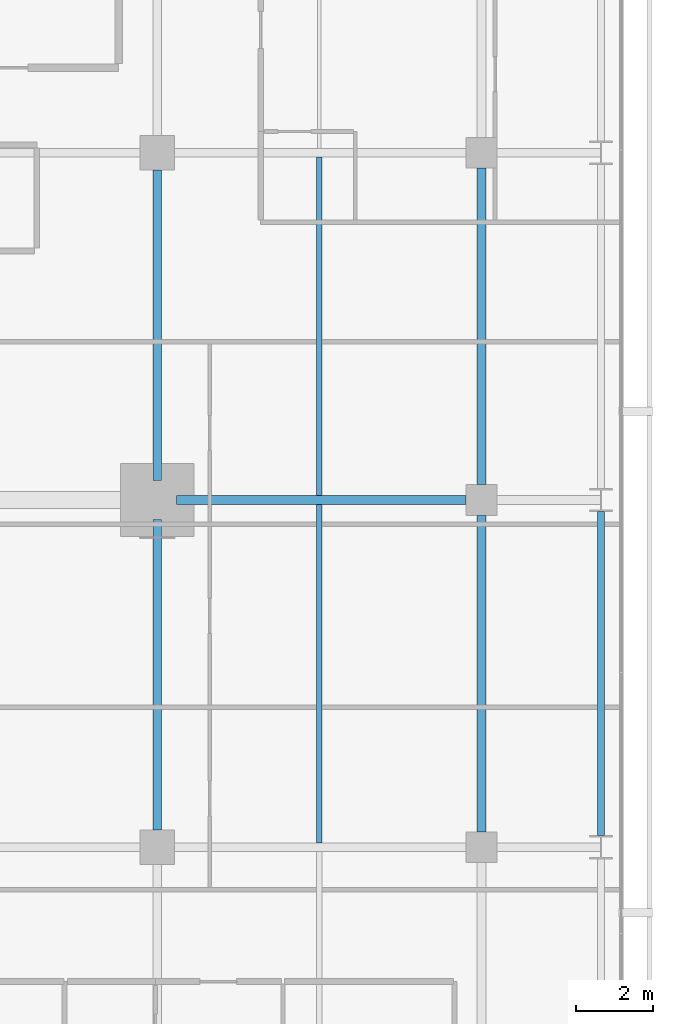
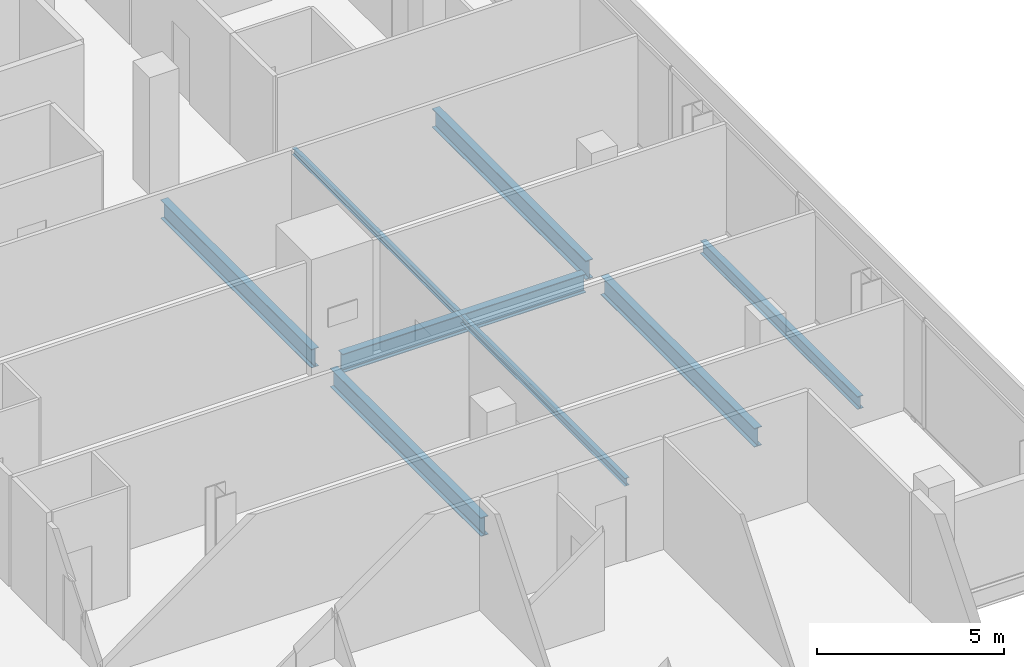
# One storey, part 16 of 34: 8 beams.
"""IFC4 building model written with IfcOpenShell, lengths in metres."""

from ifc_helpers import new_model, si_unit, direction, frame, origin, origin_2d, place, context, subcontext, project, spatial, i_section, extrude, material, material_profile, profile_set, type_object, element, save


model = new_model("IFC4")

# Units and contexts
model_context = context("Model", 3, precision=1e-05, world=origin(), true_north=direction((0.0, 1.0)))
body_context = subcontext(model_context, "Body", "Model", "MODEL_VIEW")
ifc_project = project(units=[si_unit("LENGTHUNIT", "METRE"), si_unit("AREAUNIT", "SQUARE_METRE"), si_unit("VOLUMEUNIT", "CUBIC_METRE"), si_unit("PLANEANGLEUNIT", "RADIAN"), si_unit("MASSUNIT", "GRAM", prefix="KILO")], contexts=[model_context])

# Site, building, storey
site_placement = place(None, origin())
site = spatial("IfcSite", under=ifc_project, at=site_placement, CompositionType="ELEMENT")
building_placement = place(site_placement, origin())
building = spatial("IfcBuilding", under=site, at=building_placement, Name="Maruvema Waterfront Hotel and Observation Tower", CompositionType="ELEMENT")
storey_placement = place(building_placement, frame((0.0, 0.0, 146.64990234375)))
storey = spatial("IfcBuildingStorey", under=building, at=storey_placement, Name="L35", CompositionType="ELEMENT", Elevation=146.64990234375)

# Beams
ifc_material_1 = material(Name="Steel ASTM A572 Grade 50", Category="steel")
ifc_material_profile_1 = material_profile(ifc_material_1, i_section(OverallWidth=0.180908203125, OverallDepth=0.4169921875, WebThickness=0.010986328125, FlangeThickness=0.018310546875, FilletRadius=0.014892578125, at=origin_2d()), Name="W410x85.0")
ifc_profile_set_1 = profile_set([ifc_material_profile_1], Name="Steel ASTM A572 Grade 50")
beam_type_1 = type_object("IfcBeamType", Name="Perimeter Spandrel Beam W410x85.0", PredefinedType="SPANDREL", material=ifc_profile_set_1)
beam_1_placement = place(storey_placement, frame((61.89990234375, 18.300048828125, -0.448486328125), z_axis=(0.0, 1.0, 0.0), x_axis=(-1.0, 0.0, 0.0)))
element("IfcBeam", 1, at=beam_1_placement, inside=storey, type_object=beam_type_1, Name="L35 Floor Girder NS-30", PredefinedType="SPANDREL", context=body_context, shape_type="SweptSolid", body=[
    extrude(i_section(OverallWidth=0.180908203125, OverallDepth=0.4169921875, WebThickness=0.010986328125, FlangeThickness=0.018310546875, FilletRadius=0.014892578125, at=origin_2d()), origin(), (0.0, 0.0, 1.0), 8.39990234375),
])
ifc_material_2 = material(Name="Steel ASTM A572 Grade 50", Category="steel")
ifc_material_profile_2 = material_profile(ifc_material_2, i_section(OverallWidth=0.22900390625, OverallDepth=0.612060546875, WebThickness=0.011962890625, FlangeThickness=0.01953125, FilletRadius=0.01806640625, at=origin_2d()), Name="W610x125.0")
ifc_profile_set_2 = profile_set([ifc_material_profile_2], Name="Steel ASTM A572 Grade 50")
beam_type_2 = type_object("IfcBeamType", Name="Primary Floor Girder W610x125.0", PredefinedType="BEAM", material=ifc_profile_set_2)
beam_2_placement = place(storey_placement, frame((50.89990234375, 27.0, -0.5458984375), z_axis=(1.0, 0.0, 0.0), x_axis=(0.0, 1.0, 0.0)))
element("IfcBeam", 2, at=beam_2_placement, inside=storey, type_object=beam_type_2, Name="L35 Floor Girder EW-21", PredefinedType="BEAM", context=body_context, shape_type="SweptSolid", body=[
    extrude(i_section(OverallWidth=0.22900390625, OverallDepth=0.612060546875, WebThickness=0.011962890625, FlangeThickness=0.01953125, FilletRadius=0.01806640625, at=origin_2d()), origin(), (0.0, 0.0, 1.0), 7.5),
])
for number, where, z_axis, x_axis, name in (
    (3, (50.39990234375, 18.449951171875, -0.5458984375), (0.0, 1.0, 0.0), (-1.0, 0.0, 0.0), "L35 Floor Girder NS-22"),
    (4, (50.39990234375, 27.5, -0.5458984375), (0.0, 1.0, 0.0), (-1.0, 0.0, 0.0), "L35 Floor Girder NS-23"),
):
    element("IfcBeam", number, at=place(storey_placement, frame(where, z_axis=z_axis, x_axis=x_axis)), inside=storey, type_object=beam_type_2, Name=name, PredefinedType="BEAM", context=body_context, shape_type="SweptSolid", body=[
        extrude(i_section(OverallWidth=0.22900390625, OverallDepth=0.612060546875, WebThickness=0.011962890625, FlangeThickness=0.01953125, FilletRadius=0.01806640625, at=origin_2d()), origin(), (0.0, 0.0, 1.0), 8.050048828125),
    ])
for number, where, z_axis, x_axis, name in (
    (5, (58.800048828125, 18.39990234375, -0.5458984375), (0.0, 1.0, 0.0), (-1.0, 0.0, 0.0), "L35 Floor Girder NS-26"),
    (6, (58.800048828125, 27.39990234375, -0.5458984375), (0.0, 1.0, 0.0), (-1.0, 0.0, 0.0), "L35 Floor Girder NS-27"),
):
    element("IfcBeam", number, at=place(storey_placement, frame(where, z_axis=z_axis, x_axis=x_axis)), inside=storey, type_object=beam_type_2, Name=name, PredefinedType="BEAM", context=body_context, shape_type="SweptSolid", body=[
        extrude(i_section(OverallWidth=0.22900390625, OverallDepth=0.612060546875, WebThickness=0.011962890625, FlangeThickness=0.01953125, FilletRadius=0.01806640625, at=origin_2d()), origin(), (0.0, 0.0, 1.0), 8.2001953125),
    ])
ifc_material_3 = material(Name="Steel ASTM A572 Grade 50", Category="steel")
ifc_material_profile_3 = material_profile(ifc_material_3, i_section(OverallWidth=0.133056640625, OverallDepth=0.20703125, WebThickness=0.005859375, FlangeThickness=0.00830078125, FilletRadius=0.010009765625, at=origin_2d()), Name="W200x26.6")
ifc_profile_set_3 = profile_set([ifc_material_profile_3], Name="Steel ASTM A572 Grade 50")
beam_type_3 = type_object("IfcBeamType", Name="Secondary Floor Joist W200x26.6", PredefinedType="JOIST", material=ifc_profile_set_3)
beam_3_placement = place(storey_placement, frame((54.60009765625, 27.114501953125, -0.343505859375), z_axis=(0.0, 1.0, 0.0), x_axis=(-1.0, 0.0, 0.0)))
element("IfcBeam", 7, at=beam_3_placement, inside=storey, type_object=beam_type_3, Name="L35 Secondary Floor Joist JS-13", PredefinedType="JOIST", context=body_context, shape_type="SweptSolid", body=[
    extrude(i_section(OverallWidth=0.133056640625, OverallDepth=0.20703125, WebThickness=0.005859375, FlangeThickness=0.00830078125, FilletRadius=0.010009765625, at=origin_2d()), origin(), (0.0, 0.0, 1.0), 8.77099609375),
])
ifc_material_4 = material(Name="Steel ASTM A572 Grade 50", Category="steel")
ifc_material_profile_4 = material_profile(ifc_material_4, i_section(OverallWidth=0.14599609375, OverallDepth=0.258056640625, WebThickness=0.006103515625, FlangeThickness=0.009033203125, FilletRadius=0.012939453125, at=origin_2d()), Name="W250x32.7")
ifc_profile_set_4 = profile_set([ifc_material_profile_4], Name="Steel ASTM A572 Grade 50")
beam_type_4 = type_object("IfcBeamType", Name="Secondary Floor Joist W250x32.7", PredefinedType="JOIST", material=ifc_profile_set_4)
beam_4_placement = place(storey_placement, frame((54.60009765625, 18.114501953125, -0.368896484375), z_axis=(0.0, 1.0, 0.0), x_axis=(-1.0, 0.0, 0.0)))
element("IfcBeam", 8, at=beam_4_placement, inside=storey, type_object=beam_type_4, Name="L35 Secondary Floor Joist JS-12", PredefinedType="JOIST", context=body_context, shape_type="SweptSolid", body=[
    extrude(i_section(OverallWidth=0.14599609375, OverallDepth=0.258056640625, WebThickness=0.006103515625, FlangeThickness=0.009033203125, FilletRadius=0.012939453125, at=origin_2d()), origin(), (0.0, 0.0, 1.0), 8.77099609375),
])

save(model, "model.ifc")
